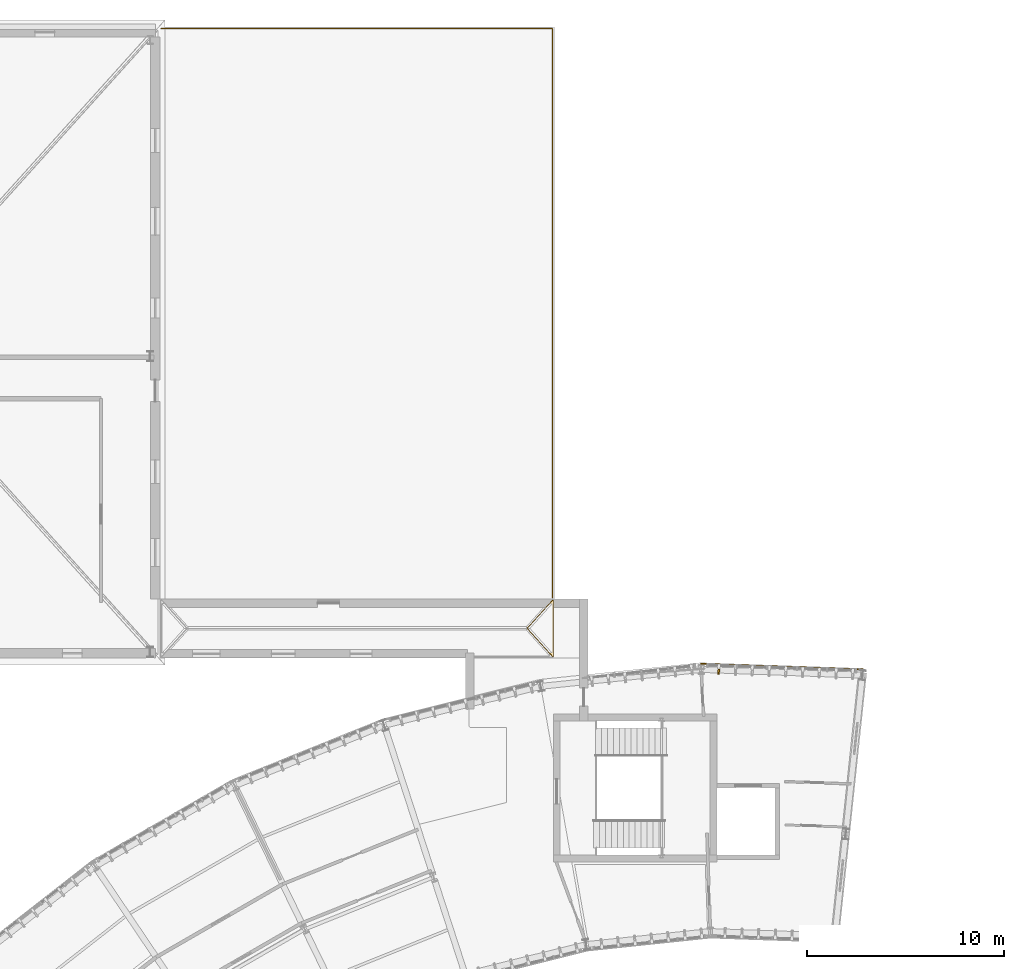
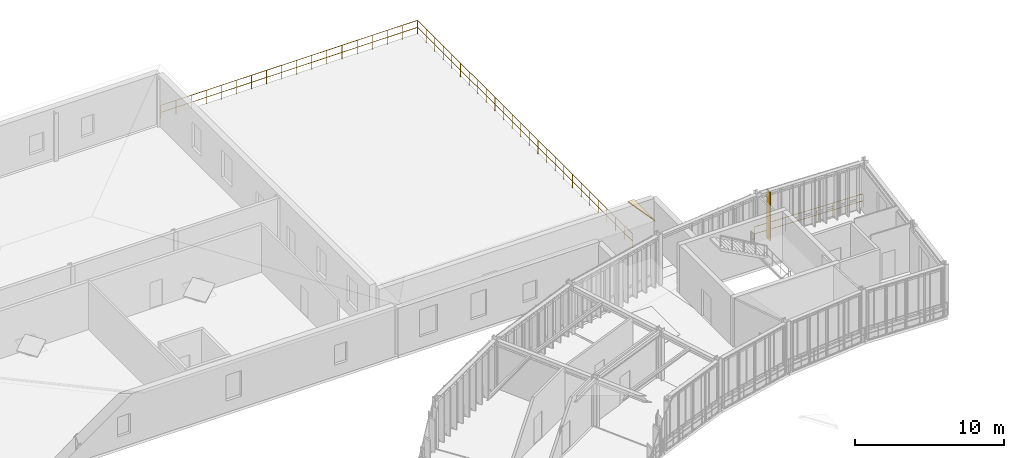
# One storey, part 57 of 57: 2 coverings, 2 railings.
"""IFC4 building model written with IfcOpenShell, lengths in metres."""

from ifc_helpers import new_model, si_unit, direction, frame, origin, origin_2d, place, context, subcontext, project, spatial, polyline, rectangle, circle, outline, extrude, material, layer, layer_set, type_object, element, save


model = new_model("IFC4")

# Units and contexts
model_context = context("Model", 3, precision=1e-05, world=origin(), true_north=direction((0.0, 1.0)))
body_context = subcontext(model_context, "Body", "Model", "MODEL_VIEW")
ifc_project = project(units=[si_unit("LENGTHUNIT", "METRE"), si_unit("AREAUNIT", "SQUARE_METRE"), si_unit("VOLUMEUNIT", "CUBIC_METRE"), si_unit("PLANEANGLEUNIT", "RADIAN"), si_unit("MASSUNIT", "GRAM", prefix="KILO"), si_unit("THERMODYNAMICTEMPERATUREUNIT", "KELVIN"), si_unit("POWERUNIT", "WATT")], contexts=[model_context])

# Site, building, storey
site_placement = place(None, origin())
site = spatial("IfcSite", under=ifc_project, at=site_placement, CompositionType="ELEMENT")
building_placement = place(site_placement, origin())
building = spatial("IfcBuilding", under=site, at=building_placement, Name="Solvatero Civic Police Headquarters", CompositionType="ELEMENT")
storey_placement = place(building_placement, frame((0.0, 0.0, 9.300048828125)))
storey = spatial("IfcBuildingStorey", under=building, at=storey_placement, Name="L02", CompositionType="ELEMENT", Elevation=9.300048828125)

# Coverings
ifc_material_1 = material(Name="Anodized Bronze Aluminium", Category="aluminium")
ifc_layer_1 = layer(ifc_material_1, 0.080078125)
ifc_layer_set_1 = layer_set([ifc_layer_1], Name="Anodized Bronze Aluminium")
covering_type_1 = type_object("IfcCoveringType", Name="COV-FIN-480", PredefinedType="CLADDING", material=ifc_layer_set_1)
covering_1_placement = place(storey_placement, frame((92.845703125, 84.6025390625, -0.02001953125), z_axis=(0.0, 0.0, 1.0), x_axis=(-0.999390827019, 0.034899496703, 0.0)))
element("IfcCovering", 1, at=covering_1_placement, inside=storey, type_object=covering_type_1, Name="Vertical Brise-Soleil Fin 0375", PredefinedType="CLADDING", context=body_context, shape_type="SweptSolid", body=[
    extrude(rectangle(XDim=0.080078125, YDim=0.47998046875, at=origin_2d()), origin(), (0.0, 0.0, 1.0), 3.97998046875),
])
ifc_material_2 = material(Name="Lombard Terracotta Clay Tile", Category="masonry")
ifc_layer_2 = layer(ifc_material_2, 0.06005859375)
ifc_layer_set_2 = layer_set([ifc_layer_2], Name="Lombard Terracotta Clay Tile")
covering_type_2 = type_object("IfcCoveringType", Name="COV-RF-TILE", PredefinedType="ROOFING", material=ifc_layer_set_2)
covering_2_placement = place(storey_placement, frame((84.449951171875, 85.25, 4.030029296875), z_axis=(0.669240101649, 0.0, 0.743046220867), x_axis=(0.0, 1.0, 0.0)))
element("IfcCovering", 2, at=covering_2_placement, inside=storey, type_object=covering_type_2, Name="V7CORR Lombard Terracotta Hipped Roof Covering E", PredefinedType="ROOFING", context=body_context, shape_type="SweptSolid", body=[
    extrude(outline(polyline([(0.0, 0.0), (2.89990234375, 0.0), (1.449951171875, 1.7630916583111134), (0.0, 0.0)])), origin(), (0.0, 0.0, -1.0), 0.06005859375),
])

# Railings
ifc_material_3 = material(Name="Anodized Bronze and Laminated Glass", Category="glass")
railing_type = type_object("IfcRailingType", Name="RL-BAL-115", PredefinedType="BALUSTRADE", material=ifc_material_3)
railing_1_placement = place(storey_placement, frame((64.550048828125, 117.1201171875, 0.0)))
element("IfcRailing", 3, at=railing_1_placement, inside=storey, type_object=railing_type, Name="L02 Custody Roof Garden Balustrade NE", PredefinedType="BALUSTRADE", context=body_context, shape_type="SweptSolid", body=[
    extrude(circle(Radius=0.02392578125, at=origin_2d()), frame((0.0, 0.0, 1.1259765625), z_axis=(1.0, 0.0, 0.0), x_axis=(0.0, 1.0, 0.0)), (0.0, 0.0, 1.0), 19.869873046875),
    extrude(circle(Radius=0.02392578125, at=origin_2d()), frame((0.0, 0.0, 0.55078125), z_axis=(1.0, 0.0, 0.0), x_axis=(0.0, 1.0, 0.0)), (0.0, 0.0, 1.0), 19.869873046875),
    extrude(circle(Radius=0.02392578125, at=origin_2d()), frame((19.869873046875, 0.0, 1.1259765625), z_axis=(0.0, -1.0, 0.0), x_axis=(1.0, 0.0, 0.0)), (0.0, 0.0, 1.0), 28.8701171875),
    extrude(circle(Radius=0.02392578125, at=origin_2d()), frame((19.869873046875, 0.0, 0.55078125), z_axis=(0.0, -1.0, 0.0), x_axis=(1.0, 0.0, 0.0)), (0.0, 0.0, 1.0), 28.8701171875),
    extrude(circle(Radius=0.02099609375, at=origin_2d()), origin(), (0.0, 0.0, 1.0), 1.101806640625),
    extrude(circle(Radius=0.02099609375, at=origin_2d()), frame((1.168701171875, 0.0, 0.0)), (0.0, 0.0, 1.0), 1.101806640625),
    extrude(circle(Radius=0.02099609375, at=origin_2d()), frame((2.337646484375, 0.0, 0.0)), (0.0, 0.0, 1.0), 1.101806640625),
    extrude(circle(Radius=0.02099609375, at=origin_2d()), frame((3.50634765625, 0.0, 0.0)), (0.0, 0.0, 1.0), 1.101806640625),
    extrude(circle(Radius=0.02099609375, at=origin_2d()), frame((4.67529296875, 0.0, 0.0)), (0.0, 0.0, 1.0), 1.101806640625),
    extrude(circle(Radius=0.02099609375, at=origin_2d()), frame((5.843994140625, 0.0, 0.0)), (0.0, 0.0, 1.0), 1.101806640625),
    extrude(circle(Radius=0.02099609375, at=origin_2d()), frame((7.012939453125, 0.0, 0.0)), (0.0, 0.0, 1.0), 1.101806640625),
    extrude(circle(Radius=0.02099609375, at=origin_2d()), frame((8.181640625, 0.0, 0.0)), (0.0, 0.0, 1.0), 1.101806640625),
    extrude(circle(Radius=0.02099609375, at=origin_2d()), frame((9.3505859375, 0.0, 0.0)), (0.0, 0.0, 1.0), 1.101806640625),
    extrude(circle(Radius=0.02099609375, at=origin_2d()), frame((10.519287109375, 0.0, 0.0)), (0.0, 0.0, 1.0), 1.101806640625),
    extrude(circle(Radius=0.02099609375, at=origin_2d()), frame((11.688232421875, 0.0, 0.0)), (0.0, 0.0, 1.0), 1.101806640625),
    extrude(circle(Radius=0.02099609375, at=origin_2d()), frame((12.85693359375, 0.0, 0.0)), (0.0, 0.0, 1.0), 1.101806640625),
    extrude(circle(Radius=0.02099609375, at=origin_2d()), frame((14.02587890625, 0.0, 0.0)), (0.0, 0.0, 1.0), 1.101806640625),
    extrude(circle(Radius=0.02099609375, at=origin_2d()), frame((15.194580078125, 0.0, 0.0)), (0.0, 0.0, 1.0), 1.101806640625),
    extrude(circle(Radius=0.02099609375, at=origin_2d()), frame((16.363525390625, 0.0, 0.0)), (0.0, 0.0, 1.0), 1.101806640625),
    extrude(circle(Radius=0.02099609375, at=origin_2d()), frame((17.5322265625, 0.0, 0.0)), (0.0, 0.0, 1.0), 1.101806640625),
    extrude(circle(Radius=0.02099609375, at=origin_2d()), frame((18.701171875, 0.0, 0.0)), (0.0, 0.0, 1.0), 1.101806640625),
    extrude(circle(Radius=0.02099609375, at=origin_2d()), frame((19.869873046875, 0.0, 0.0)), (0.0, 0.0, 1.0), 1.101806640625),
    extrude(circle(Radius=0.02099609375, at=origin_2d()), frame((19.869873046875, -1.15478515625, 0.0)), (0.0, 0.0, 1.0), 1.101806640625),
    extrude(circle(Radius=0.02099609375, at=origin_2d()), frame((19.869873046875, -2.3095703125, 0.0)), (0.0, 0.0, 1.0), 1.101806640625),
    extrude(circle(Radius=0.02099609375, at=origin_2d()), frame((19.869873046875, -3.46435546875, 0.0)), (0.0, 0.0, 1.0), 1.101806640625),
    extrude(circle(Radius=0.02099609375, at=origin_2d()), frame((19.869873046875, -4.619140625, 0.0)), (0.0, 0.0, 1.0), 1.101806640625),
    extrude(circle(Radius=0.02099609375, at=origin_2d()), frame((19.869873046875, -5.77392578125, 0.0)), (0.0, 0.0, 1.0), 1.101806640625),
    extrude(circle(Radius=0.02099609375, at=origin_2d()), frame((19.869873046875, -6.9287109375, 0.0)), (0.0, 0.0, 1.0), 1.101806640625),
    extrude(circle(Radius=0.02099609375, at=origin_2d()), frame((19.869873046875, -8.083740234375, 0.0)), (0.0, 0.0, 1.0), 1.101806640625),
    extrude(circle(Radius=0.02099609375, at=origin_2d()), frame((19.869873046875, -9.238525390625, 0.0)), (0.0, 0.0, 1.0), 1.101806640625),
    extrude(circle(Radius=0.02099609375, at=origin_2d()), frame((19.869873046875, -10.393310546875, 0.0)), (0.0, 0.0, 1.0), 1.101806640625),
    extrude(circle(Radius=0.02099609375, at=origin_2d()), frame((19.869873046875, -11.548095703125, 0.0)), (0.0, 0.0, 1.0), 1.101806640625),
    extrude(circle(Radius=0.02099609375, at=origin_2d()), frame((19.869873046875, -12.702880859375, 0.0)), (0.0, 0.0, 1.0), 1.101806640625),
    extrude(circle(Radius=0.02099609375, at=origin_2d()), frame((19.869873046875, -13.857666015625, 0.0)), (0.0, 0.0, 1.0), 1.101806640625),
    extrude(circle(Radius=0.02099609375, at=origin_2d()), frame((19.869873046875, -15.012451171875, 0.0)), (0.0, 0.0, 1.0), 1.101806640625),
    extrude(circle(Radius=0.02099609375, at=origin_2d()), frame((19.869873046875, -16.167236328125, 0.0)), (0.0, 0.0, 1.0), 1.101806640625),
    extrude(circle(Radius=0.02099609375, at=origin_2d()), frame((19.869873046875, -17.322021484375, 0.0)), (0.0, 0.0, 1.0), 1.101806640625),
    extrude(circle(Radius=0.02099609375, at=origin_2d()), frame((19.869873046875, -18.476806640625, 0.0)), (0.0, 0.0, 1.0), 1.101806640625),
    extrude(circle(Radius=0.02099609375, at=origin_2d()), frame((19.869873046875, -19.631591796875, 0.0)), (0.0, 0.0, 1.0), 1.101806640625),
    extrude(circle(Radius=0.02099609375, at=origin_2d()), frame((19.869873046875, -20.786376953125, 0.0)), (0.0, 0.0, 1.0), 1.101806640625),
    extrude(circle(Radius=0.02099609375, at=origin_2d()), frame((19.869873046875, -21.94140625, 0.0)), (0.0, 0.0, 1.0), 1.101806640625),
    extrude(circle(Radius=0.02099609375, at=origin_2d()), frame((19.869873046875, -23.09619140625, 0.0)), (0.0, 0.0, 1.0), 1.101806640625),
    extrude(circle(Radius=0.02099609375, at=origin_2d()), frame((19.869873046875, -24.2509765625, 0.0)), (0.0, 0.0, 1.0), 1.101806640625),
    extrude(circle(Radius=0.02099609375, at=origin_2d()), frame((19.869873046875, -25.40576171875, 0.0)), (0.0, 0.0, 1.0), 1.101806640625),
    extrude(circle(Radius=0.02099609375, at=origin_2d()), frame((19.869873046875, -26.560546875, 0.0)), (0.0, 0.0, 1.0), 1.101806640625),
    extrude(circle(Radius=0.02099609375, at=origin_2d()), frame((19.869873046875, -27.71533203125, 0.0)), (0.0, 0.0, 1.0), 1.101806640625),
    extrude(circle(Radius=0.02099609375, at=origin_2d()), frame((19.869873046875, -28.8701171875, 0.0)), (0.0, 0.0, 1.0), 1.101806640625),
])
railing_2_placement = place(storey_placement, frame((100.160888671875, 84.6171875, 0.0)))
element("IfcRailing", 4, at=railing_2_placement, inside=storey, type_object=railing_type, Name="Glazed Facade Sill Balustrade RL-L02-ARCOUT-B01", PredefinedType="BALUSTRADE", context=body_context, shape_type="SweptSolid", body=[
    extrude(circle(Radius=0.02392578125, at=origin_2d()), frame((0.0, 0.0, 1.1259765625), z_axis=(-0.999391275439, 0.034886653257, 0.0), x_axis=(-0.034886653257, -0.999391275439, 0.0)), (0.0, 0.0, 1.0), 8.222900390625),
    extrude(circle(Radius=0.02392578125, at=origin_2d()), frame((0.0, 0.0, 0.55078125), z_axis=(-0.999391275439, 0.034886653257, 0.0), x_axis=(-0.034886653257, -0.999391275439, 0.0)), (0.0, 0.0, 1.0), 8.222900390625),
    extrude(circle(Radius=0.02099609375, at=origin_2d()), origin(), (0.0, 0.0, 1.0), 1.101806640625),
    extrude(circle(Radius=0.02099609375, at=origin_2d()), frame((-1.174072265625, 0.041015625, 0.0)), (0.0, 0.0, 1.0), 1.101806640625),
    extrude(circle(Radius=0.02099609375, at=origin_2d()), frame((-2.347900390625, 0.08203125, 0.0)), (0.0, 0.0, 1.0), 1.101806640625),
    extrude(circle(Radius=0.02099609375, at=origin_2d()), frame((-3.52197265625, 0.123046875, 0.0)), (0.0, 0.0, 1.0), 1.101806640625),
    extrude(circle(Radius=0.02099609375, at=origin_2d()), frame((-4.69580078125, 0.163818359375, 0.0)), (0.0, 0.0, 1.0), 1.101806640625),
    extrude(circle(Radius=0.02099609375, at=origin_2d()), frame((-5.869873046875, 0.204833984375, 0.0)), (0.0, 0.0, 1.0), 1.101806640625),
    extrude(circle(Radius=0.02099609375, at=origin_2d()), frame((-7.043701171875, 0.245849609375, 0.0)), (0.0, 0.0, 1.0), 1.101806640625),
    extrude(circle(Radius=0.02099609375, at=origin_2d()), frame((-8.2177734375, 0.286865234375, 0.0)), (0.0, 0.0, 1.0), 1.101806640625),
])

save(model, "model.ifc")
